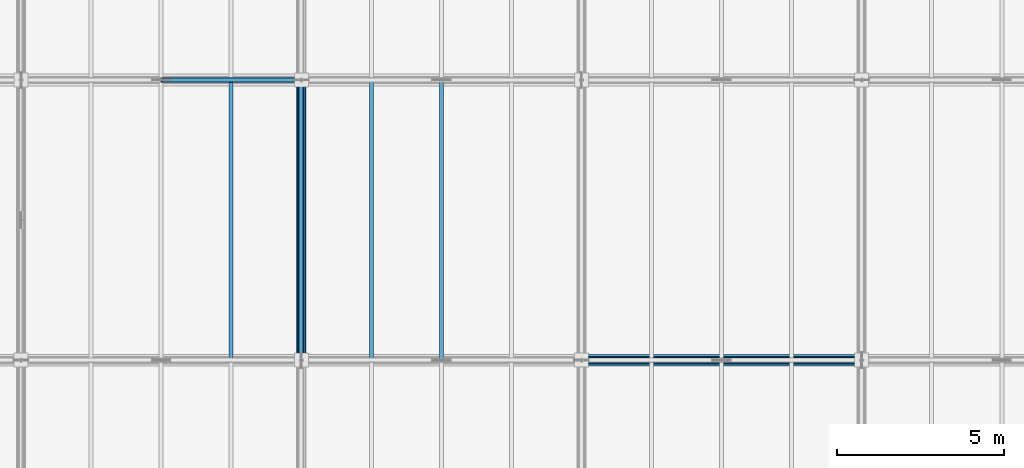
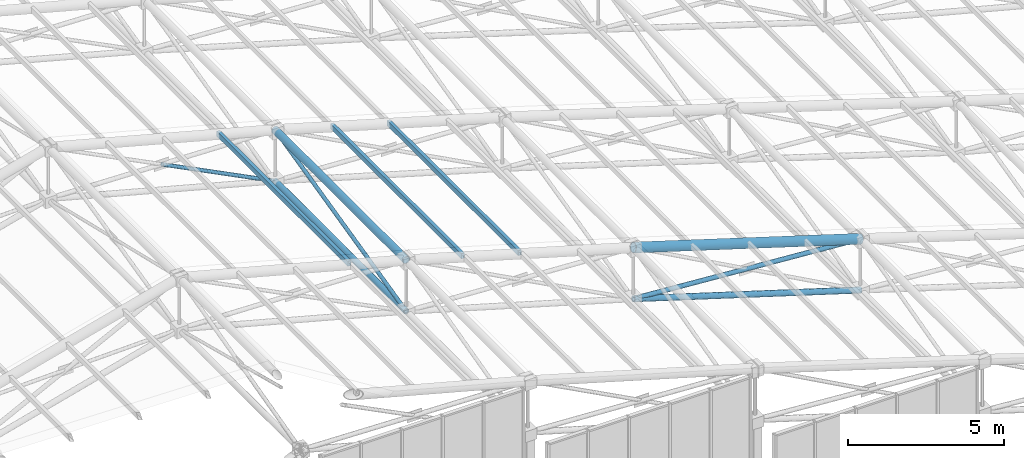
# One storey, part 50 of 144: 10 members.
"""IFC4 building model written with IfcOpenShell, lengths in metres."""

from ifc_helpers import new_model, si_unit, direction, frame, origin, origin_2d, place, context, subcontext, project, spatial, hollow_rectangle, hollow_circle, extrude, material, material_profile, profile_set, type_object, element, save


model = new_model("IFC4")

# Units and contexts
model_context = context("Model", 3, precision=1e-05, world=origin(), true_north=direction((0.0, 1.0)))
body_context = subcontext(model_context, "Body", "Model", "MODEL_VIEW")
ifc_project = project(units=[si_unit("LENGTHUNIT", "METRE"), si_unit("AREAUNIT", "SQUARE_METRE"), si_unit("VOLUMEUNIT", "CUBIC_METRE"), si_unit("PLANEANGLEUNIT", "RADIAN"), si_unit("MASSUNIT", "GRAM", prefix="KILO")], contexts=[model_context])

# Site, building, storey
site_placement = place(None, origin())
site = spatial("IfcSite", under=ifc_project, at=site_placement, CompositionType="ELEMENT")
building_placement = place(site_placement, origin())
building = spatial("IfcBuilding", under=site, at=building_placement, Name="Zayran Congress Hotel", CompositionType="ELEMENT")
storey_placement = place(building_placement, frame((0.0, 0.0, 19.199951171875)))
storey = spatial("IfcBuildingStorey", under=building, at=storey_placement, Name="L04", CompositionType="ELEMENT", Elevation=19.199951171875)

# Members
ifc_material = material(Name="Steel S355", Category="steel")
ifc_material_profile_1 = material_profile(ifc_material, hollow_circle(Radius=0.177734375, WallThickness=0.01611328125, at=origin_2d()), Name="CHS 355.6x16")
ifc_profile_set_1 = profile_set([ifc_material_profile_1], Name="Steel S355")
member_type_1 = type_object("IfcMemberType", Name="TP-SF-TC1", PredefinedType="CHORD", material=ifc_profile_set_1)
member_1_placement = place(storey_placement, frame((67.199951171875, 76.0, 9.902099609375), z_axis=(0.955284210171, 0.0, -0.29568915739), x_axis=(0.0, 1.0, 0.0)))
element("IfcMember", 1, at=member_1_placement, inside=storey, type_object=member_type_1, Name="Space Frame Top Chord X 392", PredefinedType="CHORD", context=body_context, shape_type="SweptSolid", body=[
    extrude(hollow_circle(Radius=0.177734375, WallThickness=0.01611328125, at=origin_2d()), origin(), (0.0, 0.0, 1.0), 8.79345703125),
])
ifc_material_profile_2 = material_profile(ifc_material, hollow_circle(Radius=0.136474609375, WallThickness=0.012451171875, at=origin_2d()), Name="CHS 273x12.5")
ifc_profile_set_2 = profile_set([ifc_material_profile_2], Name="Steel S355")
member_type_2 = type_object("IfcMemberType", Name="TP-SF-TC2", PredefinedType="CHORD", material=ifc_profile_set_2)
member_2_placement = place(storey_placement, frame((58.800048828125, 76.0, 12.35205078125), z_axis=(0.0, 1.0, 0.0), x_axis=(-1.0, 0.0, 0.0)))
element("IfcMember", 2, at=member_2_placement, inside=storey, type_object=member_type_2, Name="Space Frame Top Chord Y 343", PredefinedType="CHORD", context=body_context, shape_type="SweptSolid", body=[
    extrude(hollow_circle(Radius=0.136474609375, WallThickness=0.012451171875, at=origin_2d()), origin(), (0.0, 0.0, 1.0), 8.39990234375),
])
ifc_material_profile_3 = material_profile(ifc_material, hollow_circle(Radius=0.109619140625, WallThickness=0.010009765625, at=origin_2d()), Name="CHS 219.1x10")
ifc_profile_set_3 = profile_set([ifc_material_profile_3], Name="Steel S355")
member_type_3 = type_object("IfcMemberType", Name="TP-SF-BC1", PredefinedType="CHORD", material=ifc_profile_set_3)
member_3_placement = place(storey_placement, frame((58.800048828125, 76.0, 10.35009765625), z_axis=(0.0, 1.0, 0.0), x_axis=(-1.0, 0.0, 0.0)))
element("IfcMember", 3, at=member_3_placement, inside=storey, type_object=member_type_3, Name="Space Frame Bottom Chord Y 344", PredefinedType="CHORD", context=body_context, shape_type="SweptSolid", body=[
    extrude(hollow_circle(Radius=0.109619140625, WallThickness=0.010009765625, at=origin_2d()), origin(), (0.0, 0.0, 1.0), 8.39990234375),
])
member_4_placement = place(storey_placement, frame((67.199951171875, 76.0, 7.900146484375), z_axis=(0.955284210171, 0.0, -0.29568915739), x_axis=(0.0, 1.0, 0.0)))
element("IfcMember", 4, at=member_4_placement, inside=storey, type_object=member_type_3, Name="Space Frame Bottom Chord X 393", PredefinedType="CHORD", context=body_context, shape_type="SweptSolid", body=[
    extrude(hollow_circle(Radius=0.109619140625, WallThickness=0.010009765625, at=origin_2d()), origin(), (0.0, 0.0, 1.0), 8.79345703125),
])
ifc_material_profile_4 = material_profile(ifc_material, hollow_circle(Radius=0.084228515625, WallThickness=0.008056640625, at=origin_2d()), Name="CHS 168.3x8")
ifc_profile_set_4 = profile_set([ifc_material_profile_4], Name="Steel S355")
member_type_4 = type_object("IfcMemberType", Name="TP-SF-DG1", PredefinedType="BRACE", material=ifc_profile_set_4)
member_5_placement = place(storey_placement, frame((67.199951171875, 76.0, 7.900146484375), z_axis=(0.997474421553, 0.0, -0.071026603098), x_axis=(0.0, 1.0, 0.0)))
element("IfcMember", 5, at=member_5_placement, inside=storey, type_object=member_type_4, Name="Space Frame Web Diagonal X 394", PredefinedType="BRACE", context=body_context, shape_type="SweptSolid", body=[
    extrude(hollow_circle(Radius=0.084228515625, WallThickness=0.008056640625, at=origin_2d()), origin(), (0.0, 0.0, 1.0), 8.42138671875),
])
ifc_material_profile_5 = material_profile(ifc_material, hollow_circle(Radius=0.06982421875, WallThickness=0.00634765625, at=origin_2d()), Name="CHS 139.7x6.3")
ifc_profile_set_5 = profile_set([ifc_material_profile_5], Name="Steel S355")
member_type_5 = type_object("IfcMemberType", Name="TP-SF-DG2", PredefinedType="BRACE", material=ifc_profile_set_5)
member_6_placement = place(storey_placement, frame((54.61328125, 84.39990234375, 12.46923828125), z_axis=(0.892220848392, 0.0, -0.451599333142), x_axis=(0.0, 1.0, 0.0)))
element("IfcMember", 6, at=member_6_placement, inside=storey, type_object=member_type_5, Name="Space Frame Counter Diagonal X Lower 46", PredefinedType="BRACE", context=body_context, shape_type="SweptSolid", body=[
    extrude(hollow_circle(Radius=0.06982421875, WallThickness=0.00634765625, at=origin_2d()), origin(), (0.0, 0.0, 1.0), 4.692626953125),
])
member_7_placement = place(storey_placement, frame((58.800048828125, 76.0, 10.35009765625), z_axis=(0.0, 0.97275461998, 0.231837118056), x_axis=(-1.0, 0.0, 0.0)))
element("IfcMember", 7, at=member_7_placement, inside=storey, type_object=member_type_5, Name="Space Frame Web Diagonal Y 345", PredefinedType="BRACE", context=body_context, shape_type="SweptSolid", body=[
    extrude(hollow_circle(Radius=0.06982421875, WallThickness=0.00634765625, at=origin_2d()), origin(), (0.0, 0.0, 1.0), 8.63525390625),
])
ifc_material_profile_6 = material_profile(ifc_material, hollow_rectangle(XDim=0.1201171875, YDim=0.199951171875, WallThickness=0.008056640625, at=origin_2d()), Name="RHS 200x120x8")
ifc_profile_set_6 = profile_set([ifc_material_profile_6], Name="Steel S355")
member_type_6 = type_object("IfcMemberType", Name="TP-PR-01", PredefinedType="PURLIN", material=ifc_profile_set_6)
for number, where, z_axis, x_axis, name in (
    (8, (56.699951171875, 76.0, 12.95654296875), (0.0, 1.0, 0.0), (-1.0, 0.0, 0.0), "MEM-PR-V1-0104"),
    (9, (60.89990234375, 76.0, 11.781494140625), (0.0, 1.0, 0.0), (-1.0, 0.0, 0.0), "MEM-PR-V1-0110"),
    (10, (63.0, 76.0, 11.1689453125), (0.0, 1.0, 0.0), (-1.0, 0.0, 0.0), "MEM-PR-V1-0116"),
):
    element("IfcMember", number, at=place(storey_placement, frame(where, z_axis=z_axis, x_axis=x_axis)), inside=storey, type_object=member_type_6, Name=name, PredefinedType="PURLIN", context=body_context, shape_type="SweptSolid", body=[
        extrude(hollow_rectangle(XDim=0.1201171875, YDim=0.199951171875, WallThickness=0.008056640625, at=origin_2d()), origin(), (0.0, 0.0, 1.0), 8.39990234375),
    ])

save(model, "model.ifc")
